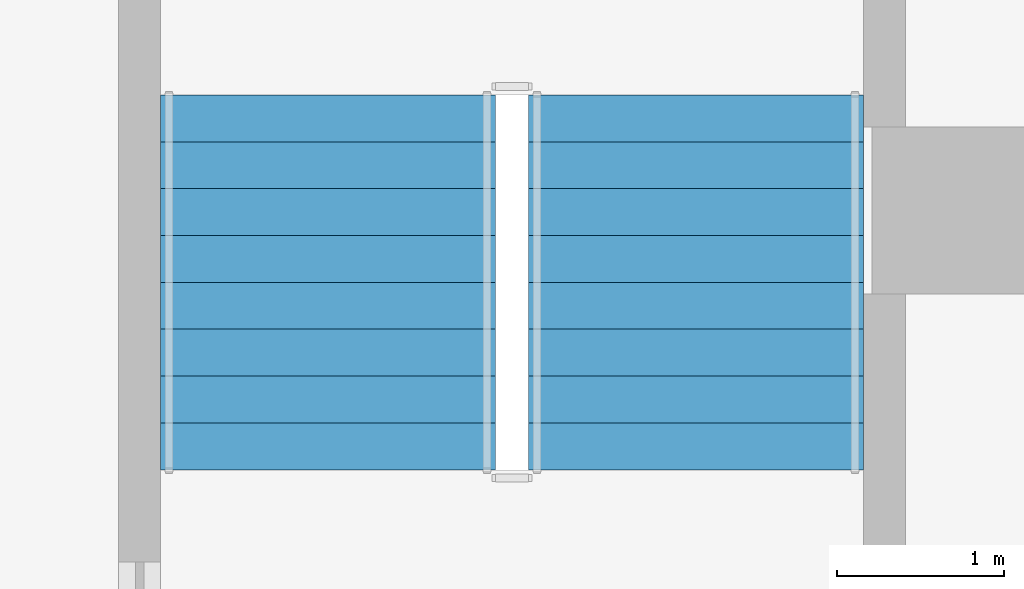
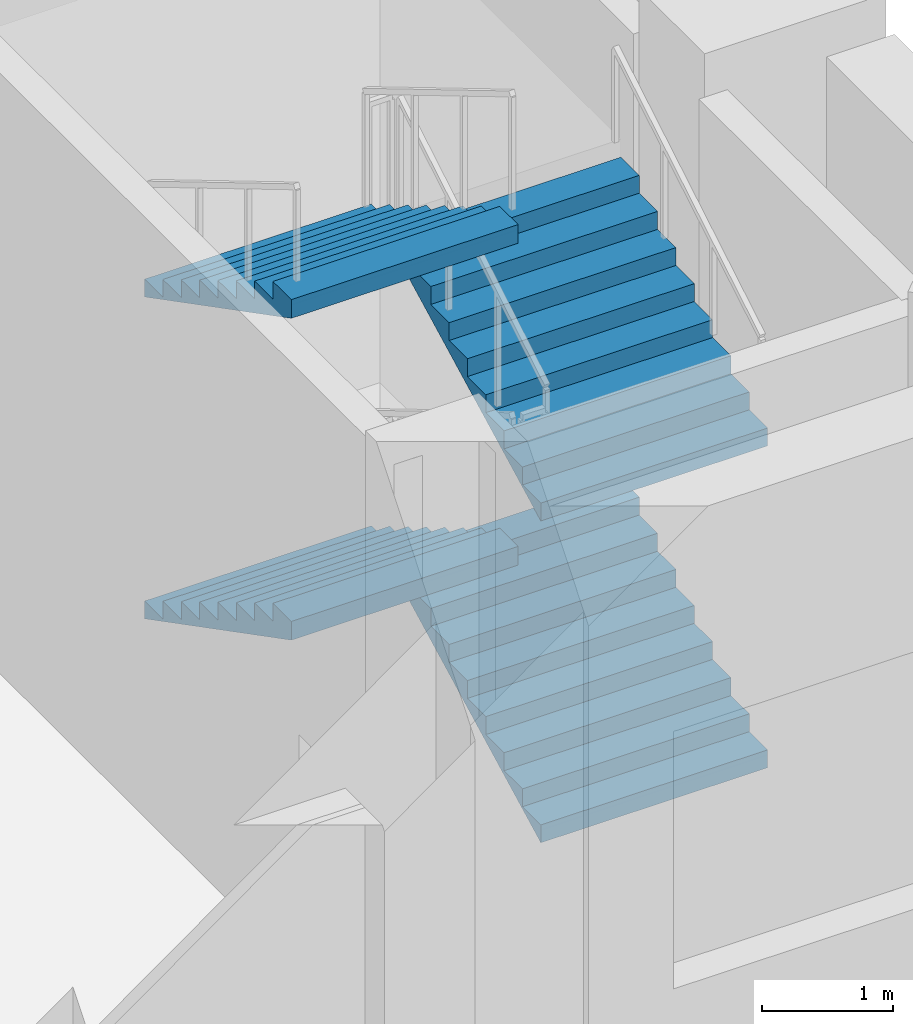
# One storey, part 15 of 19: 4 stair flights, 1 element without a shape of its own.
"""IFC4 building model written with IfcOpenShell, lengths in metres."""

from ifc_helpers import new_model, si_unit, direction, frame, origin, place, context, subcontext, project, spatial, triangles, material, type_object, element, aggregate, save


model = new_model("IFC4")

# Units and contexts
model_context = context("Model", 3, precision=1e-05, world=origin(), true_north=direction((0.0, 1.0)))
body_context = subcontext(model_context, "Body", "Model", "MODEL_VIEW")
ifc_project = project(units=[si_unit("LENGTHUNIT", "METRE"), si_unit("AREAUNIT", "SQUARE_METRE"), si_unit("VOLUMEUNIT", "CUBIC_METRE"), si_unit("PLANEANGLEUNIT", "RADIAN"), si_unit("MASSUNIT", "GRAM", prefix="KILO")], contexts=[model_context])

# Site, building, storey
site_placement = place(None, origin())
site = spatial("IfcSite", under=ifc_project, at=site_placement, CompositionType="ELEMENT")
building_placement = place(site_placement, origin())
building = spatial("IfcBuilding", under=site, at=building_placement, Name="Cypress Arch Tower", CompositionType="ELEMENT")
storey_placement = place(building_placement, frame((0.0, 0.0, 44.0)))
storey = spatial("IfcBuildingStorey", under=building, at=storey_placement, Name="L05", CompositionType="ELEMENT", Elevation=44.0)

# Stair, stair flights
ifc_material_1 = material(Name="Concrete C40/50", Category="concrete")
stair_type = type_object("IfcStairType", Name="Exit stair ES1667-200", PredefinedType="HALF_TURN_STAIR", material=ifc_material_1)
stair_placement = place(storey_placement, origin())
stair = element("IfcStair", 1, at=stair_placement, inside=storey, type_object=stair_type, Name="L05 Exit stair P4", PredefinedType="HALF_TURN_STAIR")
ifc_material_2 = material(Name="Concrete C40/50", Category="concrete")
stair_flight_type = type_object("IfcStairFlightType", Name="Exit stair flight ES1667-200", PredefinedType="STRAIGHT", material=ifc_material_2)
stair_flight_1_placement = place(storey_placement, frame((36.5, -24.050048828125, 0.0), z_axis=(0.0, 0.0, 1.0), x_axis=(0.0, 1.0, 0.0)))
stair_flight_1 = element("IfcStairFlight", 2, at=stair_flight_1_placement, type_object=stair_flight_type, Name="P4 flight 1", NumberOfRisers=9, NumberOfTreads=8, PredefinedType="STRAIGHT", RiserHeight=0.166666667, TreadLength=0.28, context=body_context, shape_type="Tessellation", body=[
    triangles([(0.0, -1.0, 0.0), (0.000244140625, -1.0, 0.0185546875), (0.000244140625, -1.0, 0.037109375), (0.00048828125, -1.0, 0.0556640625), (0.00048828125, -1.0, 0.07421875), (0.00048828125, -1.0, 0.092529296875), (0.00048828125, -1.0, 0.111083984375), (0.000244140625, -1.0, 0.129638671875), (0.000244140625, -1.0, 0.148193359375), (0.0, -1.0, 0.166748046875), (0.280029296875, -1.0, 0.166748046875), (0.280029296875, -1.0, 0.333251953125), (0.56005859375, -1.0, 0.333251953125), (0.56005859375, -1.0, 0.5), (0.840087890625, -1.0, 0.5), (0.840087890625, -1.0, 0.666748046875), (1.1201171875, -1.0, 0.666748046875), (1.1201171875, -1.0, 0.833251953125), (1.39990234375, -1.0, 0.833251953125), (1.39990234375, -1.0, 1.0), (1.679931640625, -1.0, 1.0), (1.679931640625, -1.0, 1.166748046875), (1.9599609375, -1.0, 1.166748046875), (1.9599609375, -1.0, 1.333251953125), (2.239990234375, -1.0, 1.333251953125), (2.23974609375, -1.0, 1.31396484375), (2.23974609375, -1.0, 1.29443359375), (2.239501953125, -1.0, 1.275146484375), (2.239501953125, -1.0, 1.255859375), (2.239501953125, -1.0, 1.236328125), (2.239501953125, -1.0, 1.217041015625), (2.23974609375, -1.0, 1.19775390625), (2.23974609375, -1.0, 1.17822265625), (2.239990234375, -1.0, 1.158935546875), (2.239990234375, 1.0, 1.158935546875), (2.23974609375, 1.0, 1.17822265625), (2.23974609375, 1.0, 1.19775390625), (2.239501953125, 1.0, 1.217041015625), (2.239501953125, 1.0, 1.236328125), (2.239501953125, 1.0, 1.255859375), (2.239501953125, 1.0, 1.275146484375), (2.23974609375, 1.0, 1.29443359375), (2.23974609375, 1.0, 1.31396484375), (2.239990234375, 1.0, 1.333251953125), (1.9599609375, 1.0, 1.333251953125), (1.9599609375, 1.0, 1.166748046875), (1.679931640625, 1.0, 1.166748046875), (1.679931640625, 1.0, 1.0), (1.39990234375, 1.0, 1.0), (1.39990234375, 1.0, 0.833251953125), (1.1201171875, 1.0, 0.833251953125), (1.1201171875, 1.0, 0.666748046875), (0.840087890625, 1.0, 0.666748046875), (0.840087890625, 1.0, 0.5), (0.56005859375, 1.0, 0.5), (0.56005859375, 1.0, 0.333251953125), (0.280029296875, 1.0, 0.333251953125), (0.280029296875, 1.0, 0.166748046875), (0.0, 1.0, 0.166748046875), (0.000244140625, 1.0, 0.148193359375), (0.000244140625, 1.0, 0.129638671875), (0.00048828125, 1.0, 0.111083984375), (0.00048828125, 1.0, 0.092529296875), (0.00048828125, 1.0, 0.07421875), (0.00048828125, 1.0, 0.0556640625), (0.000244140625, 1.0, 0.037109375), (0.000244140625, 1.0, 0.0185546875), (0.0, 1.0, 0.0), (2.23974609375, 0.0, 1.17822265625), (2.239990234375, 0.0, 1.158935546875), (2.23974609375, 0.0, 1.19775390625), (2.239501953125, 0.0, 1.217041015625), (2.239501953125, 0.0, 1.236328125), (2.239501953125, 0.0, 1.255859375), (2.239501953125, 0.0, 1.275146484375), (2.23974609375, 0.0, 1.29443359375), (2.23974609375, 0.0, 1.31396484375), (2.239990234375, 0.0, 1.333251953125), (1.9599609375, 0.0, 1.333251953125), (1.9599609375, 0.0, 1.166748046875), (1.679931640625, 0.0, 1.166748046875), (1.679931640625, 0.0, 1.0), (1.39990234375, 0.0, 1.0), (1.39990234375, 0.0, 0.833251953125), (1.1201171875, 0.0, 0.833251953125), (1.1201171875, 0.0, 0.666748046875), (0.840087890625, 0.0, 0.666748046875), (0.840087890625, 0.0, 0.5), (0.56005859375, 0.0, 0.5), (0.56005859375, 0.0, 0.333251953125), (0.280029296875, 0.0, 0.333251953125), (0.280029296875, 0.0, 0.166748046875), (0.0, 0.0, 0.166748046875), (0.000244140625, 0.0, 0.148193359375), (0.000244140625, 0.0, 0.129638671875), (0.00048828125, 0.0, 0.111083984375), (0.00048828125, 0.0, 0.092529296875), (0.00048828125, 0.0, 0.07421875), (0.00048828125, 0.0, 0.0556640625), (0.000244140625, 0.0, 0.037109375), (0.000244140625, 0.0, 0.0185546875), (0.0, 0.0, 0.0)], [[34, 33, 24], [33, 32, 24], [32, 31, 24], [31, 30, 24], [30, 29, 24], [29, 28, 24], [28, 27, 24], [27, 26, 24], [26, 25, 24], [23, 22, 21], [21, 20, 19], [17, 16, 15], [15, 14, 13], [10, 9, 11], [9, 8, 11], [8, 7, 11], [7, 6, 11], [6, 5, 11], [5, 4, 11], [4, 3, 11], [3, 2, 11], [2, 1, 11], [19, 18, 17], [13, 12, 11], [34, 24, 23], [34, 23, 21], [34, 21, 19], [34, 19, 17], [34, 17, 15], [34, 15, 13], [1, 34, 13], [13, 11, 1], [35, 45, 36], [36, 45, 37], [37, 45, 38], [38, 45, 39], [39, 45, 40], [40, 45, 41], [41, 45, 42], [42, 45, 43], [43, 45, 44], [46, 48, 47], [48, 50, 49], [52, 54, 53], [54, 56, 55], [59, 58, 60], [60, 58, 61], [61, 58, 62], [62, 58, 63], [63, 58, 64], [64, 58, 65], [65, 58, 66], [66, 58, 67], [67, 58, 68], [50, 52, 51], [56, 58, 57], [35, 46, 45], [35, 48, 46], [35, 50, 48], [35, 52, 50], [35, 54, 52], [35, 56, 54], [68, 56, 35], [56, 68, 58], [70, 69, 33], [70, 33, 34], [35, 36, 69], [35, 69, 70], [69, 71, 32], [69, 32, 33], [36, 37, 71], [36, 71, 69], [71, 72, 31], [71, 31, 32], [37, 38, 72], [37, 72, 71], [72, 73, 30], [72, 30, 31], [38, 39, 73], [38, 73, 72], [73, 74, 29], [73, 29, 30], [39, 40, 74], [39, 74, 73], [74, 75, 28], [74, 28, 29], [40, 41, 75], [40, 75, 74], [75, 76, 27], [75, 27, 28], [41, 42, 76], [41, 76, 75], [76, 77, 26], [76, 26, 27], [42, 43, 77], [42, 77, 76], [77, 78, 25], [77, 25, 26], [43, 44, 78], [43, 78, 77], [78, 79, 24], [78, 24, 25], [44, 45, 79], [44, 79, 78], [79, 80, 23], [79, 23, 24], [45, 46, 80], [45, 80, 79], [80, 81, 22], [80, 22, 23], [46, 47, 81], [46, 81, 80], [81, 82, 21], [81, 21, 22], [47, 48, 82], [47, 82, 81], [82, 83, 20], [82, 20, 21], [48, 49, 83], [48, 83, 82], [83, 84, 19], [83, 19, 20], [49, 50, 84], [49, 84, 83], [84, 85, 18], [84, 18, 19], [50, 51, 85], [50, 85, 84], [85, 86, 17], [85, 17, 18], [51, 52, 86], [51, 86, 85], [86, 87, 16], [86, 16, 17], [52, 53, 87], [52, 87, 86], [87, 88, 15], [87, 15, 16], [53, 54, 88], [53, 88, 87], [88, 89, 14], [88, 14, 15], [54, 55, 89], [54, 89, 88], [89, 90, 13], [89, 13, 14], [55, 56, 90], [55, 90, 89], [90, 91, 12], [90, 12, 13], [56, 57, 91], [56, 91, 90], [91, 92, 11], [91, 11, 12], [57, 58, 92], [57, 92, 91], [92, 93, 10], [92, 10, 11], [58, 59, 93], [58, 93, 92], [93, 94, 9], [93, 9, 10], [59, 60, 94], [59, 94, 93], [94, 95, 8], [94, 8, 9], [60, 61, 95], [60, 95, 94], [95, 96, 7], [95, 7, 8], [61, 62, 96], [61, 96, 95], [96, 97, 6], [96, 6, 7], [62, 63, 97], [62, 97, 96], [97, 98, 5], [97, 5, 6], [63, 64, 98], [63, 98, 97], [98, 99, 4], [98, 4, 5], [64, 65, 99], [64, 99, 98], [99, 100, 3], [99, 3, 4], [65, 66, 100], [65, 100, 99], [100, 101, 2], [100, 2, 3], [66, 67, 101], [66, 101, 100], [101, 102, 1], [101, 1, 2], [67, 68, 102], [67, 102, 101], [102, 70, 34], [102, 34, 1], [68, 35, 70], [68, 70, 102]], closed=True),
])
stair_flight_2_placement = place(storey_placement, frame((34.300048828125, -21.81005859375, 1.5), z_axis=(0.0, 0.0, 1.0), x_axis=(0.0, -1.0, 0.0)))
stair_flight_2 = element("IfcStairFlight", 3, at=stair_flight_2_placement, type_object=stair_flight_type, Name="P4 flight 2", NumberOfRisers=9, NumberOfTreads=8, PredefinedType="STRAIGHT", RiserHeight=0.166666667, TreadLength=0.28, context=body_context, shape_type="Tessellation", body=[
    triangles([(0.0, -1.0, 0.0), (0.000244140625, -1.0, 0.0185546875), (0.000244140625, -1.0, 0.037109375), (0.00048828125, -1.0, 0.0556640625), (0.00048828125, -1.0, 0.07421875), (0.00048828125, -1.0, 0.092529296875), (0.00048828125, -1.0, 0.111083984375), (0.000244140625, -1.0, 0.129638671875), (0.000244140625, -1.0, 0.148193359375), (0.0, -1.0, 0.166748046875), (0.280029296875, -1.0, 0.166748046875), (0.280029296875, -1.0, 0.333251953125), (0.56005859375, -1.0, 0.333251953125), (0.56005859375, -1.0, 0.5), (0.840087890625, -1.0, 0.5), (0.840087890625, -1.0, 0.666748046875), (1.1201171875, -1.0, 0.666748046875), (1.1201171875, -1.0, 0.833251953125), (1.39990234375, -1.0, 0.833251953125), (1.39990234375, -1.0, 1.0), (1.679931640625, -1.0, 1.0), (1.679931640625, -1.0, 1.166748046875), (1.9599609375, -1.0, 1.166748046875), (1.9599609375, -1.0, 1.333251953125), (2.239990234375, -1.0, 1.333251953125), (2.23974609375, -1.0, 1.31396484375), (2.23974609375, -1.0, 1.29443359375), (2.239501953125, -1.0, 1.275146484375), (2.239501953125, -1.0, 1.255859375), (2.239501953125, -1.0, 1.236328125), (2.239501953125, -1.0, 1.217041015625), (2.23974609375, -1.0, 1.19775390625), (2.23974609375, -1.0, 1.17822265625), (2.239990234375, -1.0, 1.158935546875), (2.239990234375, 1.0, 1.158935546875), (2.23974609375, 1.0, 1.17822265625), (2.23974609375, 1.0, 1.19775390625), (2.239501953125, 1.0, 1.217041015625), (2.239501953125, 1.0, 1.236328125), (2.239501953125, 1.0, 1.255859375), (2.239501953125, 1.0, 1.275146484375), (2.23974609375, 1.0, 1.29443359375), (2.23974609375, 1.0, 1.31396484375), (2.239990234375, 1.0, 1.333251953125), (1.9599609375, 1.0, 1.333251953125), (1.9599609375, 1.0, 1.166748046875), (1.679931640625, 1.0, 1.166748046875), (1.679931640625, 1.0, 1.0), (1.39990234375, 1.0, 1.0), (1.39990234375, 1.0, 0.833251953125), (1.1201171875, 1.0, 0.833251953125), (1.1201171875, 1.0, 0.666748046875), (0.840087890625, 1.0, 0.666748046875), (0.840087890625, 1.0, 0.5), (0.56005859375, 1.0, 0.5), (0.56005859375, 1.0, 0.333251953125), (0.280029296875, 1.0, 0.333251953125), (0.280029296875, 1.0, 0.166748046875), (0.0, 1.0, 0.166748046875), (0.000244140625, 1.0, 0.148193359375), (0.000244140625, 1.0, 0.129638671875), (0.00048828125, 1.0, 0.111083984375), (0.00048828125, 1.0, 0.092529296875), (0.00048828125, 1.0, 0.07421875), (0.00048828125, 1.0, 0.0556640625), (0.000244140625, 1.0, 0.037109375), (0.000244140625, 1.0, 0.0185546875), (0.0, 1.0, 0.0), (2.23974609375, 0.0, 1.17822265625), (2.239990234375, 0.0, 1.158935546875), (2.23974609375, 0.0, 1.19775390625), (2.239501953125, 0.0, 1.217041015625), (2.239501953125, 0.0, 1.236328125), (2.239501953125, 0.0, 1.255859375), (2.239501953125, 0.0, 1.275146484375), (2.23974609375, 0.0, 1.29443359375), (2.23974609375, 0.0, 1.31396484375), (2.239990234375, 0.0, 1.333251953125), (1.9599609375, 0.0, 1.333251953125), (1.9599609375, 0.0, 1.166748046875), (1.679931640625, 0.0, 1.166748046875), (1.679931640625, 0.0, 1.0), (1.39990234375, 0.0, 1.0), (1.39990234375, 0.0, 0.833251953125), (1.1201171875, 0.0, 0.833251953125), (1.1201171875, 0.0, 0.666748046875), (0.840087890625, 0.0, 0.666748046875), (0.840087890625, 0.0, 0.5), (0.56005859375, 0.0, 0.5), (0.56005859375, 0.0, 0.333251953125), (0.280029296875, 0.0, 0.333251953125), (0.280029296875, 0.0, 0.166748046875), (0.0, 0.0, 0.166748046875), (0.000244140625, 0.0, 0.148193359375), (0.000244140625, 0.0, 0.129638671875), (0.00048828125, 0.0, 0.111083984375), (0.00048828125, 0.0, 0.092529296875), (0.00048828125, 0.0, 0.07421875), (0.00048828125, 0.0, 0.0556640625), (0.000244140625, 0.0, 0.037109375), (0.000244140625, 0.0, 0.0185546875), (0.0, 0.0, 0.0)], [[34, 33, 24], [33, 32, 24], [32, 31, 24], [31, 30, 24], [30, 29, 24], [29, 28, 24], [28, 27, 24], [27, 26, 24], [26, 25, 24], [23, 22, 21], [21, 20, 19], [17, 16, 15], [15, 14, 13], [10, 9, 11], [9, 8, 11], [8, 7, 11], [7, 6, 11], [6, 5, 11], [5, 4, 11], [4, 3, 11], [3, 2, 11], [2, 1, 11], [19, 18, 17], [13, 12, 11], [34, 24, 23], [34, 23, 21], [34, 21, 19], [34, 19, 17], [34, 17, 15], [34, 15, 13], [1, 34, 13], [13, 11, 1], [35, 45, 36], [36, 45, 37], [37, 45, 38], [38, 45, 39], [39, 45, 40], [40, 45, 41], [41, 45, 42], [42, 45, 43], [43, 45, 44], [46, 48, 47], [48, 50, 49], [52, 54, 53], [54, 56, 55], [59, 58, 60], [60, 58, 61], [61, 58, 62], [62, 58, 63], [63, 58, 64], [64, 58, 65], [65, 58, 66], [66, 58, 67], [67, 58, 68], [50, 52, 51], [56, 58, 57], [35, 46, 45], [35, 48, 46], [35, 50, 48], [35, 52, 50], [35, 54, 52], [35, 56, 54], [68, 56, 35], [56, 68, 58], [70, 69, 33], [70, 33, 34], [35, 36, 69], [35, 69, 70], [69, 71, 32], [69, 32, 33], [36, 37, 71], [36, 71, 69], [71, 72, 31], [71, 31, 32], [37, 38, 72], [37, 72, 71], [72, 73, 30], [72, 30, 31], [38, 39, 73], [38, 73, 72], [73, 74, 29], [73, 29, 30], [39, 40, 74], [39, 74, 73], [74, 75, 28], [74, 28, 29], [40, 41, 75], [40, 75, 74], [75, 76, 27], [75, 27, 28], [41, 42, 76], [41, 76, 75], [76, 77, 26], [76, 26, 27], [42, 43, 77], [42, 77, 76], [77, 78, 25], [77, 25, 26], [43, 44, 78], [43, 78, 77], [78, 79, 24], [78, 24, 25], [44, 45, 79], [44, 79, 78], [79, 80, 23], [79, 23, 24], [45, 46, 80], [45, 80, 79], [80, 81, 22], [80, 22, 23], [46, 47, 81], [46, 81, 80], [81, 82, 21], [81, 21, 22], [47, 48, 82], [47, 82, 81], [82, 83, 20], [82, 20, 21], [48, 49, 83], [48, 83, 82], [83, 84, 19], [83, 19, 20], [49, 50, 84], [49, 84, 83], [84, 85, 18], [84, 18, 19], [50, 51, 85], [50, 85, 84], [85, 86, 17], [85, 17, 18], [51, 52, 86], [51, 86, 85], [86, 87, 16], [86, 16, 17], [52, 53, 87], [52, 87, 86], [87, 88, 15], [87, 15, 16], [53, 54, 88], [53, 88, 87], [88, 89, 14], [88, 14, 15], [54, 55, 89], [54, 89, 88], [89, 90, 13], [89, 13, 14], [55, 56, 90], [55, 90, 89], [90, 91, 12], [90, 12, 13], [56, 57, 91], [56, 91, 90], [91, 92, 11], [91, 11, 12], [57, 58, 92], [57, 92, 91], [92, 93, 10], [92, 10, 11], [58, 59, 93], [58, 93, 92], [93, 94, 9], [93, 9, 10], [59, 60, 94], [59, 94, 93], [94, 95, 8], [94, 8, 9], [60, 61, 95], [60, 95, 94], [95, 96, 7], [95, 7, 8], [61, 62, 96], [61, 96, 95], [96, 97, 6], [96, 6, 7], [62, 63, 97], [62, 97, 96], [97, 98, 5], [97, 5, 6], [63, 64, 98], [63, 98, 97], [98, 99, 4], [98, 4, 5], [64, 65, 99], [64, 99, 98], [99, 100, 3], [99, 3, 4], [65, 66, 100], [65, 100, 99], [100, 101, 2], [100, 2, 3], [66, 67, 101], [66, 101, 100], [101, 102, 1], [101, 1, 2], [67, 68, 102], [67, 102, 101], [102, 70, 34], [102, 34, 1], [68, 35, 70], [68, 70, 102]], closed=True),
])
stair_flight_3_placement = place(storey_placement, frame((36.5, -24.050048828125, 3.0), z_axis=(0.0, 0.0, 1.0), x_axis=(0.0, 1.0, 0.0)))
stair_flight_3 = element("IfcStairFlight", 4, at=stair_flight_3_placement, type_object=stair_flight_type, Name="P4 flight 3", NumberOfRisers=9, NumberOfTreads=8, PredefinedType="STRAIGHT", RiserHeight=0.166666667, TreadLength=0.28, context=body_context, shape_type="Tessellation", body=[
    triangles([(0.0, -1.0, 0.0), (0.000244140625, -1.0, 0.0185546875), (0.000244140625, -1.0, 0.037109375), (0.00048828125, -1.0, 0.0556640625), (0.00048828125, -1.0, 0.07421875), (0.00048828125, -1.0, 0.092529296875), (0.00048828125, -1.0, 0.111083984375), (0.000244140625, -1.0, 0.129638671875), (0.000244140625, -1.0, 0.148193359375), (0.0, -1.0, 0.166748046875), (0.280029296875, -1.0, 0.166748046875), (0.280029296875, -1.0, 0.333251953125), (0.56005859375, -1.0, 0.333251953125), (0.56005859375, -1.0, 0.5), (0.840087890625, -1.0, 0.5), (0.840087890625, -1.0, 0.666748046875), (1.1201171875, -1.0, 0.666748046875), (1.1201171875, -1.0, 0.833251953125), (1.39990234375, -1.0, 0.833251953125), (1.39990234375, -1.0, 1.0), (1.679931640625, -1.0, 1.0), (1.679931640625, -1.0, 1.166748046875), (1.9599609375, -1.0, 1.166748046875), (1.9599609375, -1.0, 1.333251953125), (2.239990234375, -1.0, 1.333251953125), (2.23974609375, -1.0, 1.31396484375), (2.23974609375, -1.0, 1.29443359375), (2.239501953125, -1.0, 1.275146484375), (2.239501953125, -1.0, 1.255859375), (2.239501953125, -1.0, 1.236328125), (2.239501953125, -1.0, 1.217041015625), (2.23974609375, -1.0, 1.19775390625), (2.23974609375, -1.0, 1.17822265625), (2.239990234375, -1.0, 1.158935546875), (2.239990234375, 1.0, 1.158935546875), (2.23974609375, 1.0, 1.17822265625), (2.23974609375, 1.0, 1.19775390625), (2.239501953125, 1.0, 1.217041015625), (2.239501953125, 1.0, 1.236328125), (2.239501953125, 1.0, 1.255859375), (2.239501953125, 1.0, 1.275146484375), (2.23974609375, 1.0, 1.29443359375), (2.23974609375, 1.0, 1.31396484375), (2.239990234375, 1.0, 1.333251953125), (1.9599609375, 1.0, 1.333251953125), (1.9599609375, 1.0, 1.166748046875), (1.679931640625, 1.0, 1.166748046875), (1.679931640625, 1.0, 1.0), (1.39990234375, 1.0, 1.0), (1.39990234375, 1.0, 0.833251953125), (1.1201171875, 1.0, 0.833251953125), (1.1201171875, 1.0, 0.666748046875), (0.840087890625, 1.0, 0.666748046875), (0.840087890625, 1.0, 0.5), (0.56005859375, 1.0, 0.5), (0.56005859375, 1.0, 0.333251953125), (0.280029296875, 1.0, 0.333251953125), (0.280029296875, 1.0, 0.166748046875), (0.0, 1.0, 0.166748046875), (0.000244140625, 1.0, 0.148193359375), (0.000244140625, 1.0, 0.129638671875), (0.00048828125, 1.0, 0.111083984375), (0.00048828125, 1.0, 0.092529296875), (0.00048828125, 1.0, 0.07421875), (0.00048828125, 1.0, 0.0556640625), (0.000244140625, 1.0, 0.037109375), (0.000244140625, 1.0, 0.0185546875), (0.0, 1.0, 0.0), (2.23974609375, 0.0, 1.17822265625), (2.239990234375, 0.0, 1.158935546875), (2.23974609375, 0.0, 1.19775390625), (2.239501953125, 0.0, 1.217041015625), (2.239501953125, 0.0, 1.236328125), (2.239501953125, 0.0, 1.255859375), (2.239501953125, 0.0, 1.275146484375), (2.23974609375, 0.0, 1.29443359375), (2.23974609375, 0.0, 1.31396484375), (2.239990234375, 0.0, 1.333251953125), (1.9599609375, 0.0, 1.333251953125), (1.9599609375, 0.0, 1.166748046875), (1.679931640625, 0.0, 1.166748046875), (1.679931640625, 0.0, 1.0), (1.39990234375, 0.0, 1.0), (1.39990234375, 0.0, 0.833251953125), (1.1201171875, 0.0, 0.833251953125), (1.1201171875, 0.0, 0.666748046875), (0.840087890625, 0.0, 0.666748046875), (0.840087890625, 0.0, 0.5), (0.56005859375, 0.0, 0.5), (0.56005859375, 0.0, 0.333251953125), (0.280029296875, 0.0, 0.333251953125), (0.280029296875, 0.0, 0.166748046875), (0.0, 0.0, 0.166748046875), (0.000244140625, 0.0, 0.148193359375), (0.000244140625, 0.0, 0.129638671875), (0.00048828125, 0.0, 0.111083984375), (0.00048828125, 0.0, 0.092529296875), (0.00048828125, 0.0, 0.07421875), (0.00048828125, 0.0, 0.0556640625), (0.000244140625, 0.0, 0.037109375), (0.000244140625, 0.0, 0.0185546875), (0.0, 0.0, 0.0)], [[34, 33, 24], [33, 32, 24], [32, 31, 24], [31, 30, 24], [30, 29, 24], [29, 28, 24], [28, 27, 24], [27, 26, 24], [26, 25, 24], [23, 22, 21], [21, 20, 19], [17, 16, 15], [15, 14, 13], [10, 9, 11], [9, 8, 11], [8, 7, 11], [7, 6, 11], [6, 5, 11], [5, 4, 11], [4, 3, 11], [3, 2, 11], [2, 1, 11], [19, 18, 17], [13, 12, 11], [34, 24, 23], [34, 23, 21], [34, 21, 19], [34, 19, 17], [34, 17, 15], [34, 15, 13], [1, 34, 13], [13, 11, 1], [35, 45, 36], [36, 45, 37], [37, 45, 38], [38, 45, 39], [39, 45, 40], [40, 45, 41], [41, 45, 42], [42, 45, 43], [43, 45, 44], [46, 48, 47], [48, 50, 49], [52, 54, 53], [54, 56, 55], [59, 58, 60], [60, 58, 61], [61, 58, 62], [62, 58, 63], [63, 58, 64], [64, 58, 65], [65, 58, 66], [66, 58, 67], [67, 58, 68], [50, 52, 51], [56, 58, 57], [35, 46, 45], [35, 48, 46], [35, 50, 48], [35, 52, 50], [35, 54, 52], [35, 56, 54], [68, 56, 35], [56, 68, 58], [70, 69, 33], [70, 33, 34], [35, 36, 69], [35, 69, 70], [69, 71, 32], [69, 32, 33], [36, 37, 71], [36, 71, 69], [71, 72, 31], [71, 31, 32], [37, 38, 72], [37, 72, 71], [72, 73, 30], [72, 30, 31], [38, 39, 73], [38, 73, 72], [73, 74, 29], [73, 29, 30], [39, 40, 74], [39, 74, 73], [74, 75, 28], [74, 28, 29], [40, 41, 75], [40, 75, 74], [75, 76, 27], [75, 27, 28], [41, 42, 76], [41, 76, 75], [76, 77, 26], [76, 26, 27], [42, 43, 77], [42, 77, 76], [77, 78, 25], [77, 25, 26], [43, 44, 78], [43, 78, 77], [78, 79, 24], [78, 24, 25], [44, 45, 79], [44, 79, 78], [79, 80, 23], [79, 23, 24], [45, 46, 80], [45, 80, 79], [80, 81, 22], [80, 22, 23], [46, 47, 81], [46, 81, 80], [81, 82, 21], [81, 21, 22], [47, 48, 82], [47, 82, 81], [82, 83, 20], [82, 20, 21], [48, 49, 83], [48, 83, 82], [83, 84, 19], [83, 19, 20], [49, 50, 84], [49, 84, 83], [84, 85, 18], [84, 18, 19], [50, 51, 85], [50, 85, 84], [85, 86, 17], [85, 17, 18], [51, 52, 86], [51, 86, 85], [86, 87, 16], [86, 16, 17], [52, 53, 87], [52, 87, 86], [87, 88, 15], [87, 15, 16], [53, 54, 88], [53, 88, 87], [88, 89, 14], [88, 14, 15], [54, 55, 89], [54, 89, 88], [89, 90, 13], [89, 13, 14], [55, 56, 90], [55, 90, 89], [90, 91, 12], [90, 12, 13], [56, 57, 91], [56, 91, 90], [91, 92, 11], [91, 11, 12], [57, 58, 92], [57, 92, 91], [92, 93, 10], [92, 10, 11], [58, 59, 93], [58, 93, 92], [93, 94, 9], [93, 9, 10], [59, 60, 94], [59, 94, 93], [94, 95, 8], [94, 8, 9], [60, 61, 95], [60, 95, 94], [95, 96, 7], [95, 7, 8], [61, 62, 96], [61, 96, 95], [96, 97, 6], [96, 6, 7], [62, 63, 97], [62, 97, 96], [97, 98, 5], [97, 5, 6], [63, 64, 98], [63, 98, 97], [98, 99, 4], [98, 4, 5], [64, 65, 99], [64, 99, 98], [99, 100, 3], [99, 3, 4], [65, 66, 100], [65, 100, 99], [100, 101, 2], [100, 2, 3], [66, 67, 101], [66, 101, 100], [101, 102, 1], [101, 1, 2], [67, 68, 102], [67, 102, 101], [102, 70, 34], [102, 34, 1], [68, 35, 70], [68, 70, 102]], closed=True),
])
stair_flight_4_placement = place(storey_placement, frame((34.300048828125, -21.81005859375, 4.5), z_axis=(0.0, 0.0, 1.0), x_axis=(0.0, -1.0, 0.0)))
stair_flight_4 = element("IfcStairFlight", 5, at=stair_flight_4_placement, type_object=stair_flight_type, Name="P4 flight 4", NumberOfRisers=9, NumberOfTreads=8, PredefinedType="STRAIGHT", RiserHeight=0.166666667, TreadLength=0.28, context=body_context, shape_type="Tessellation", body=[
    triangles([(0.0, -1.0, 0.0), (0.000244140625, -1.0, 0.0185546875), (0.000244140625, -1.0, 0.037109375), (0.00048828125, -1.0, 0.0556640625), (0.00048828125, -1.0, 0.07421875), (0.00048828125, -1.0, 0.092529296875), (0.00048828125, -1.0, 0.111083984375), (0.000244140625, -1.0, 0.129638671875), (0.000244140625, -1.0, 0.148193359375), (0.0, -1.0, 0.166748046875), (0.280029296875, -1.0, 0.166748046875), (0.280029296875, -1.0, 0.333251953125), (0.56005859375, -1.0, 0.333251953125), (0.56005859375, -1.0, 0.5), (0.840087890625, -1.0, 0.5), (0.840087890625, -1.0, 0.666748046875), (1.1201171875, -1.0, 0.666748046875), (1.1201171875, -1.0, 0.833251953125), (1.39990234375, -1.0, 0.833251953125), (1.39990234375, -1.0, 1.0), (1.679931640625, -1.0, 1.0), (1.679931640625, -1.0, 1.166748046875), (1.9599609375, -1.0, 1.166748046875), (1.9599609375, -1.0, 1.333251953125), (2.239990234375, -1.0, 1.333251953125), (2.23974609375, -1.0, 1.31396484375), (2.23974609375, -1.0, 1.29443359375), (2.239501953125, -1.0, 1.275146484375), (2.239501953125, -1.0, 1.255859375), (2.239501953125, -1.0, 1.236328125), (2.239501953125, -1.0, 1.217041015625), (2.23974609375, -1.0, 1.19775390625), (2.23974609375, -1.0, 1.17822265625), (2.239990234375, -1.0, 1.158935546875), (2.239990234375, 1.0, 1.158935546875), (2.23974609375, 1.0, 1.17822265625), (2.23974609375, 1.0, 1.19775390625), (2.239501953125, 1.0, 1.217041015625), (2.239501953125, 1.0, 1.236328125), (2.239501953125, 1.0, 1.255859375), (2.239501953125, 1.0, 1.275146484375), (2.23974609375, 1.0, 1.29443359375), (2.23974609375, 1.0, 1.31396484375), (2.239990234375, 1.0, 1.333251953125), (1.9599609375, 1.0, 1.333251953125), (1.9599609375, 1.0, 1.166748046875), (1.679931640625, 1.0, 1.166748046875), (1.679931640625, 1.0, 1.0), (1.39990234375, 1.0, 1.0), (1.39990234375, 1.0, 0.833251953125), (1.1201171875, 1.0, 0.833251953125), (1.1201171875, 1.0, 0.666748046875), (0.840087890625, 1.0, 0.666748046875), (0.840087890625, 1.0, 0.5), (0.56005859375, 1.0, 0.5), (0.56005859375, 1.0, 0.333251953125), (0.280029296875, 1.0, 0.333251953125), (0.280029296875, 1.0, 0.166748046875), (0.0, 1.0, 0.166748046875), (0.000244140625, 1.0, 0.148193359375), (0.000244140625, 1.0, 0.129638671875), (0.00048828125, 1.0, 0.111083984375), (0.00048828125, 1.0, 0.092529296875), (0.00048828125, 1.0, 0.07421875), (0.00048828125, 1.0, 0.0556640625), (0.000244140625, 1.0, 0.037109375), (0.000244140625, 1.0, 0.0185546875), (0.0, 1.0, 0.0), (2.23974609375, 0.0, 1.17822265625), (2.239990234375, 0.0, 1.158935546875), (2.23974609375, 0.0, 1.19775390625), (2.239501953125, 0.0, 1.217041015625), (2.239501953125, 0.0, 1.236328125), (2.239501953125, 0.0, 1.255859375), (2.239501953125, 0.0, 1.275146484375), (2.23974609375, 0.0, 1.29443359375), (2.23974609375, 0.0, 1.31396484375), (2.239990234375, 0.0, 1.333251953125), (1.9599609375, 0.0, 1.333251953125), (1.9599609375, 0.0, 1.166748046875), (1.679931640625, 0.0, 1.166748046875), (1.679931640625, 0.0, 1.0), (1.39990234375, 0.0, 1.0), (1.39990234375, 0.0, 0.833251953125), (1.1201171875, 0.0, 0.833251953125), (1.1201171875, 0.0, 0.666748046875), (0.840087890625, 0.0, 0.666748046875), (0.840087890625, 0.0, 0.5), (0.56005859375, 0.0, 0.5), (0.56005859375, 0.0, 0.333251953125), (0.280029296875, 0.0, 0.333251953125), (0.280029296875, 0.0, 0.166748046875), (0.0, 0.0, 0.166748046875), (0.000244140625, 0.0, 0.148193359375), (0.000244140625, 0.0, 0.129638671875), (0.00048828125, 0.0, 0.111083984375), (0.00048828125, 0.0, 0.092529296875), (0.00048828125, 0.0, 0.07421875), (0.00048828125, 0.0, 0.0556640625), (0.000244140625, 0.0, 0.037109375), (0.000244140625, 0.0, 0.0185546875), (0.0, 0.0, 0.0)], [[34, 33, 24], [33, 32, 24], [32, 31, 24], [31, 30, 24], [30, 29, 24], [29, 28, 24], [28, 27, 24], [27, 26, 24], [26, 25, 24], [23, 22, 21], [21, 20, 19], [17, 16, 15], [15, 14, 13], [10, 9, 11], [9, 8, 11], [8, 7, 11], [7, 6, 11], [6, 5, 11], [5, 4, 11], [4, 3, 11], [3, 2, 11], [2, 1, 11], [19, 18, 17], [13, 12, 11], [34, 24, 23], [34, 23, 21], [34, 21, 19], [34, 19, 17], [34, 17, 15], [34, 15, 13], [1, 34, 13], [13, 11, 1], [35, 45, 36], [36, 45, 37], [37, 45, 38], [38, 45, 39], [39, 45, 40], [40, 45, 41], [41, 45, 42], [42, 45, 43], [43, 45, 44], [46, 48, 47], [48, 50, 49], [52, 54, 53], [54, 56, 55], [59, 58, 60], [60, 58, 61], [61, 58, 62], [62, 58, 63], [63, 58, 64], [64, 58, 65], [65, 58, 66], [66, 58, 67], [67, 58, 68], [50, 52, 51], [56, 58, 57], [35, 46, 45], [35, 48, 46], [35, 50, 48], [35, 52, 50], [35, 54, 52], [35, 56, 54], [68, 56, 35], [56, 68, 58], [70, 69, 33], [70, 33, 34], [35, 36, 69], [35, 69, 70], [69, 71, 32], [69, 32, 33], [36, 37, 71], [36, 71, 69], [71, 72, 31], [71, 31, 32], [37, 38, 72], [37, 72, 71], [72, 73, 30], [72, 30, 31], [38, 39, 73], [38, 73, 72], [73, 74, 29], [73, 29, 30], [39, 40, 74], [39, 74, 73], [74, 75, 28], [74, 28, 29], [40, 41, 75], [40, 75, 74], [75, 76, 27], [75, 27, 28], [41, 42, 76], [41, 76, 75], [76, 77, 26], [76, 26, 27], [42, 43, 77], [42, 77, 76], [77, 78, 25], [77, 25, 26], [43, 44, 78], [43, 78, 77], [78, 79, 24], [78, 24, 25], [44, 45, 79], [44, 79, 78], [79, 80, 23], [79, 23, 24], [45, 46, 80], [45, 80, 79], [80, 81, 22], [80, 22, 23], [46, 47, 81], [46, 81, 80], [81, 82, 21], [81, 21, 22], [47, 48, 82], [47, 82, 81], [82, 83, 20], [82, 20, 21], [48, 49, 83], [48, 83, 82], [83, 84, 19], [83, 19, 20], [49, 50, 84], [49, 84, 83], [84, 85, 18], [84, 18, 19], [50, 51, 85], [50, 85, 84], [85, 86, 17], [85, 17, 18], [51, 52, 86], [51, 86, 85], [86, 87, 16], [86, 16, 17], [52, 53, 87], [52, 87, 86], [87, 88, 15], [87, 15, 16], [53, 54, 88], [53, 88, 87], [88, 89, 14], [88, 14, 15], [54, 55, 89], [54, 89, 88], [89, 90, 13], [89, 13, 14], [55, 56, 90], [55, 90, 89], [90, 91, 12], [90, 12, 13], [56, 57, 91], [56, 91, 90], [91, 92, 11], [91, 11, 12], [57, 58, 92], [57, 92, 91], [92, 93, 10], [92, 10, 11], [58, 59, 93], [58, 93, 92], [93, 94, 9], [93, 9, 10], [59, 60, 94], [59, 94, 93], [94, 95, 8], [94, 8, 9], [60, 61, 95], [60, 95, 94], [95, 96, 7], [95, 7, 8], [61, 62, 96], [61, 96, 95], [96, 97, 6], [96, 6, 7], [62, 63, 97], [62, 97, 96], [97, 98, 5], [97, 5, 6], [63, 64, 98], [63, 98, 97], [98, 99, 4], [98, 4, 5], [64, 65, 99], [64, 99, 98], [99, 100, 3], [99, 3, 4], [65, 66, 100], [65, 100, 99], [100, 101, 2], [100, 2, 3], [66, 67, 101], [66, 101, 100], [101, 102, 1], [101, 1, 2], [67, 68, 102], [67, 102, 101], [102, 70, 34], [102, 34, 1], [68, 35, 70], [68, 70, 102]], closed=True),
])
aggregate(stair, [stair_flight_1, stair_flight_2, stair_flight_3, stair_flight_4])

save(model, "model.ifc")
